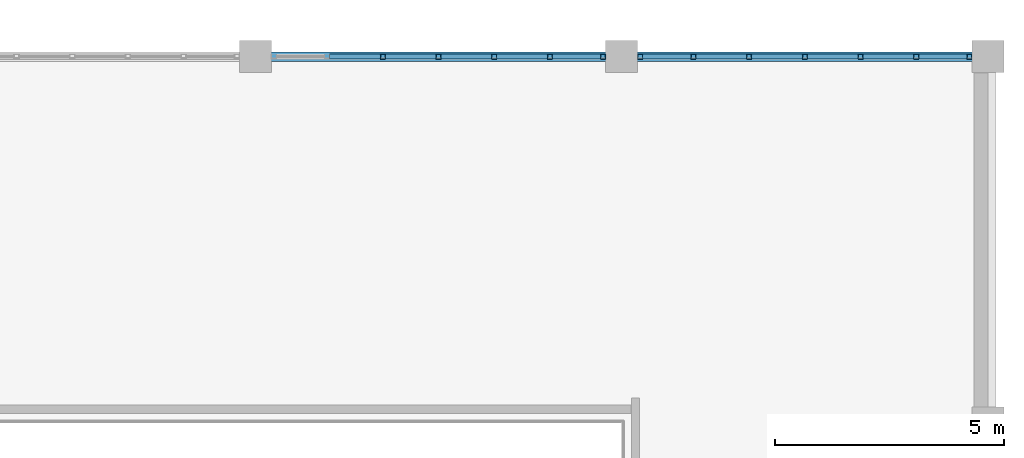
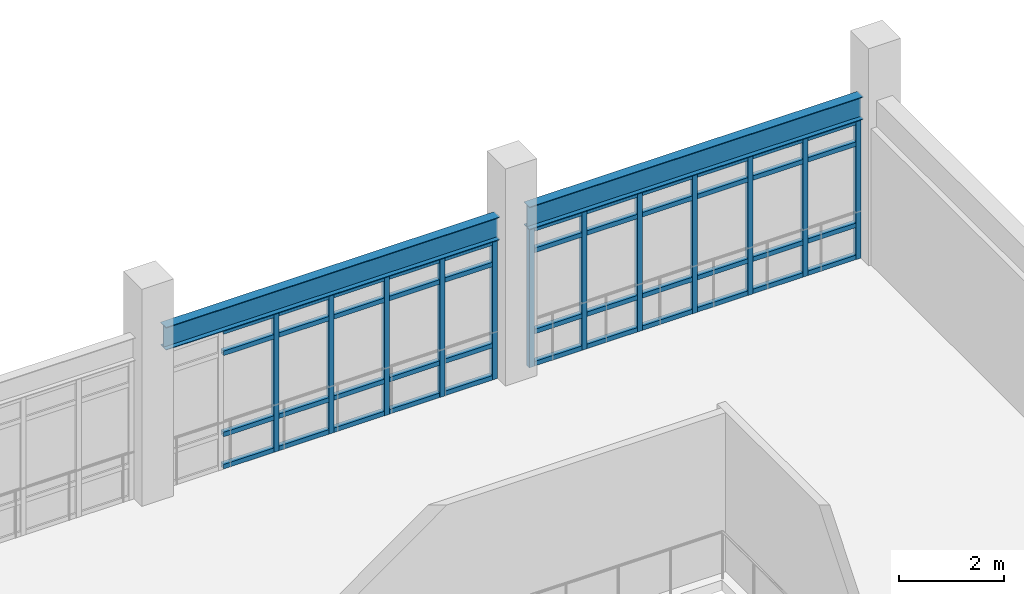
# One storey, part 101 of 159: 56 members, 2 beams, 2 elements without a shape of their own.
"""IFC4 building model written with IfcOpenShell, lengths in metres."""

from ifc_helpers import new_model, si_unit, direction, frame, origin, origin_2d, place, context, subcontext, project, spatial, hollow_rectangle, i_section, extrude, material, material_profile, profile_set, type_object, element, aggregate, save


model = new_model("IFC4")

# Units and contexts
model_context = context("Model", 3, precision=1e-05, world=origin(), true_north=direction((0.0, 1.0)))
body_context = subcontext(model_context, "Body", "Model", "MODEL_VIEW")
ifc_project = project(units=[si_unit("LENGTHUNIT", "METRE"), si_unit("AREAUNIT", "SQUARE_METRE"), si_unit("VOLUMEUNIT", "CUBIC_METRE"), si_unit("PLANEANGLEUNIT", "RADIAN"), si_unit("MASSUNIT", "GRAM", prefix="KILO")], contexts=[model_context])

# Site, building, storey
site_placement = place(None, origin())
site = spatial("IfcSite", under=ifc_project, at=site_placement, CompositionType="ELEMENT")
building_placement = place(site_placement, origin())
building = spatial("IfcBuilding", under=site, at=building_placement, Name="Celadon Cloister-Ring School", CompositionType="ELEMENT")
storey_placement = place(building_placement, frame((0.0, 0.0, 4.5)))
storey = spatial("IfcBuildingStorey", under=building, at=storey_placement, Name="L01", CompositionType="ELEMENT", Elevation=4.5)

# Curtain wall, members
ifc_material_1 = material(Name="Aluminium EN AW-6063 T6", Category="aluminium")
curtain_wall_type = type_object("IfcCurtainWallType", Name="CW-08", PredefinedType="USERDEFINED", material=ifc_material_1)
curtain_wall_1_placement = place(storey_placement, origin())
curtain_wall_1 = element("IfcCurtainWall", 1, at=curtain_wall_1_placement, inside=storey, type_object=curtain_wall_type, Name="Curtain Wall 0182", ObjectType="CURTAIN WALL", PredefinedType="USERDEFINED")
ifc_material_2 = material(Name="Aluminium EN AW-6063 T6", Category="aluminium")
ifc_material_profile_1 = material_profile(ifc_material_2, hollow_rectangle(XDim=0.110107421875, YDim=0.110107421875, WallThickness=0.0048828125, at=origin_2d()), Name="RHS110X110X5")
ifc_profile_set_1 = profile_set([ifc_material_profile_1], Name="Aluminium EN AW-6063 T6")
member_type_1 = type_object("IfcMemberType", Name="CM-01", PredefinedType="MULLION", material=ifc_profile_set_1)
member_1_placement = place(storey_placement, frame((160.783447265625, 114.0, 0.0), z_axis=(0.0, 0.0, 1.0), x_axis=(0.0, 1.0, 0.0)))
member_1 = element("IfcMember", 2, at=member_1_placement, type_object=member_type_1, Name="CW-08 mullion 3", PredefinedType="MULLION", context=body_context, shape_type="SweptSolid", body=[
    extrude(hollow_rectangle(XDim=0.110107421875, YDim=0.110107421875, WallThickness=0.0048828125, at=origin_2d()), origin(), (0.0, 0.0, 1.0), 3.239013671875),
])
member_2_placement = place(storey_placement, frame((162.0, 114.0, 0.0), z_axis=(0.0, 0.0, 1.0), x_axis=(0.0, 1.0, 0.0)))
member_2 = element("IfcMember", 3, at=member_2_placement, type_object=member_type_1, Name="CW-08 mullion 4", PredefinedType="MULLION", context=body_context, shape_type="SweptSolid", body=[
    extrude(hollow_rectangle(XDim=0.110107421875, YDim=0.110107421875, WallThickness=0.0048828125, at=origin_2d()), origin(), (0.0, 0.0, 1.0), 3.239013671875),
])
member_3_placement = place(storey_placement, frame((163.216552734375, 114.0, 0.0), z_axis=(0.0, 0.0, 1.0), x_axis=(0.0, 1.0, 0.0)))
member_3 = element("IfcMember", 4, at=member_3_placement, type_object=member_type_1, Name="CW-08 mullion 5", PredefinedType="MULLION", context=body_context, shape_type="SweptSolid", body=[
    extrude(hollow_rectangle(XDim=0.110107421875, YDim=0.110107421875, WallThickness=0.0048828125, at=origin_2d()), origin(), (0.0, 0.0, 1.0), 3.239013671875),
])
member_4_placement = place(storey_placement, frame((164.433349609375, 114.0, 0.0), z_axis=(0.0, 0.0, 1.0), x_axis=(0.0, 1.0, 0.0)))
member_4 = element("IfcMember", 5, at=member_4_placement, type_object=member_type_1, Name="CW-08 mullion 6", PredefinedType="MULLION", context=body_context, shape_type="SweptSolid", body=[
    extrude(hollow_rectangle(XDim=0.110107421875, YDim=0.110107421875, WallThickness=0.0048828125, at=origin_2d()), origin(), (0.0, 0.0, 1.0), 3.239013671875),
])
member_5_placement = place(storey_placement, frame((165.594970703125, 114.0, 0.0), z_axis=(0.0, 0.0, 1.0), x_axis=(0.0, 1.0, 0.0)))
member_5 = element("IfcMember", 6, at=member_5_placement, type_object=member_type_1, Name="CW-08 mullion 7", PredefinedType="MULLION", context=body_context, shape_type="SweptSolid", body=[
    extrude(hollow_rectangle(XDim=0.110107421875, YDim=0.110107421875, WallThickness=0.0048828125, at=origin_2d()), origin(), (0.0, 0.0, 1.0), 3.239013671875),
])

curtain_wall_2_placement = place(storey_placement, origin())
curtain_wall_2 = element("IfcCurtainWall", 7, at=curtain_wall_2_placement, inside=storey, type_object=curtain_wall_type, Name="Curtain Wall 0183", ObjectType="CURTAIN WALL", PredefinedType="USERDEFINED")
member_6_placement = place(storey_placement, frame((166.405029296875, 114.0, 0.0), z_axis=(0.0, 0.0, 1.0), x_axis=(0.0, 1.0, 0.0)))
member_6 = element("IfcMember", 8, at=member_6_placement, type_object=member_type_1, Name="CW-08 mullion 1", PredefinedType="MULLION", context=body_context, shape_type="SweptSolid", body=[
    extrude(hollow_rectangle(XDim=0.110107421875, YDim=0.110107421875, WallThickness=0.0048828125, at=origin_2d()), origin(), (0.0, 0.0, 1.0), 3.239013671875),
])
member_7_placement = place(storey_placement, frame((167.566650390625, 114.0, 0.0), z_axis=(0.0, 0.0, 1.0), x_axis=(0.0, 1.0, 0.0)))
member_7 = element("IfcMember", 9, at=member_7_placement, type_object=member_type_1, Name="CW-08 mullion 2", PredefinedType="MULLION", context=body_context, shape_type="SweptSolid", body=[
    extrude(hollow_rectangle(XDim=0.110107421875, YDim=0.110107421875, WallThickness=0.0048828125, at=origin_2d()), origin(), (0.0, 0.0, 1.0), 3.239013671875),
])
member_8_placement = place(storey_placement, frame((168.783447265625, 114.0, 0.0), z_axis=(0.0, 0.0, 1.0), x_axis=(0.0, 1.0, 0.0)))
member_8 = element("IfcMember", 10, at=member_8_placement, type_object=member_type_1, Name="CW-08 mullion 3", PredefinedType="MULLION", context=body_context, shape_type="SweptSolid", body=[
    extrude(hollow_rectangle(XDim=0.110107421875, YDim=0.110107421875, WallThickness=0.0048828125, at=origin_2d()), origin(), (0.0, 0.0, 1.0), 3.239013671875),
])
member_9_placement = place(storey_placement, frame((170.0, 114.0, 0.0), z_axis=(0.0, 0.0, 1.0), x_axis=(0.0, 1.0, 0.0)))
member_9 = element("IfcMember", 11, at=member_9_placement, type_object=member_type_1, Name="CW-08 mullion 4", PredefinedType="MULLION", context=body_context, shape_type="SweptSolid", body=[
    extrude(hollow_rectangle(XDim=0.110107421875, YDim=0.110107421875, WallThickness=0.0048828125, at=origin_2d()), origin(), (0.0, 0.0, 1.0), 3.239013671875),
])
member_10_placement = place(storey_placement, frame((171.216552734375, 114.0, 0.0), z_axis=(0.0, 0.0, 1.0), x_axis=(0.0, 1.0, 0.0)))
member_10 = element("IfcMember", 12, at=member_10_placement, type_object=member_type_1, Name="CW-08 mullion 5", PredefinedType="MULLION", context=body_context, shape_type="SweptSolid", body=[
    extrude(hollow_rectangle(XDim=0.110107421875, YDim=0.110107421875, WallThickness=0.0048828125, at=origin_2d()), origin(), (0.0, 0.0, 1.0), 3.239013671875),
])
member_11_placement = place(storey_placement, frame((172.433349609375, 114.0, 0.0), z_axis=(0.0, 0.0, 1.0), x_axis=(0.0, 1.0, 0.0)))
member_11 = element("IfcMember", 13, at=member_11_placement, type_object=member_type_1, Name="CW-08 mullion 6", PredefinedType="MULLION", context=body_context, shape_type="SweptSolid", body=[
    extrude(hollow_rectangle(XDim=0.110107421875, YDim=0.110107421875, WallThickness=0.0048828125, at=origin_2d()), origin(), (0.0, 0.0, 1.0), 3.239013671875),
])
member_12_placement = place(storey_placement, frame((173.594970703125, 114.0, 0.0), z_axis=(0.0, 0.0, 1.0), x_axis=(0.0, 1.0, 0.0)))
member_12 = element("IfcMember", 14, at=member_12_placement, type_object=member_type_1, Name="CW-08 mullion 7", PredefinedType="MULLION", context=body_context, shape_type="SweptSolid", body=[
    extrude(hollow_rectangle(XDim=0.110107421875, YDim=0.110107421875, WallThickness=0.0048828125, at=origin_2d()), origin(), (0.0, 0.0, 1.0), 3.239013671875),
])

# Member
ifc_material_3 = material(Name="Aluminium EN AW-6063 T6", Category="aluminium")
ifc_material_profile_2 = material_profile(ifc_material_3, hollow_rectangle(XDim=0.10498046875, YDim=0.10498046875, WallThickness=0.0048828125, at=origin_2d()), Name="RHS105X105X5")
ifc_profile_set_2 = profile_set([ifc_material_profile_2], Name="Aluminium EN AW-6063 T6")
member_type_2 = type_object("IfcMemberType", Name="CTM-01", PredefinedType="USERDEFINED", material=ifc_profile_set_2)
member_13_placement = place(storey_placement, frame((159.62158203125, 114.0, 0.052490234375), z_axis=(1.0, 0.0, 0.0), x_axis=(0.0, 1.0, 0.0)))
member_13 = element("IfcMember", 15, at=member_13_placement, type_object=member_type_2, Name="CW-08 transom 2.1", ObjectType="TRANSOM", PredefinedType="USERDEFINED", context=body_context, shape_type="SweptSolid", body=[
    extrude(hollow_rectangle(XDim=0.10498046875, YDim=0.10498046875, WallThickness=0.0048828125, at=origin_2d()), origin(), (0.0, 0.0, 1.0), 1.106689453125),
])

member_14_placement = place(storey_placement, frame((159.62158203125, 114.0, 0.800048828125), z_axis=(1.0, 0.0, 0.0), x_axis=(0.0, 1.0, 0.0)))
member_14 = element("IfcMember", 16, at=member_14_placement, type_object=member_type_2, Name="CW-08 transom 2.2", ObjectType="TRANSOM", PredefinedType="USERDEFINED", context=body_context, shape_type="SweptSolid", body=[
    extrude(hollow_rectangle(XDim=0.10498046875, YDim=0.10498046875, WallThickness=0.0048828125, at=origin_2d()), origin(), (0.0, 0.0, 1.0), 1.106689453125),
])

member_15_placement = place(storey_placement, frame((159.62158203125, 114.0, 2.68896484375), z_axis=(1.0, 0.0, 0.0), x_axis=(0.0, 1.0, 0.0)))
member_15 = element("IfcMember", 17, at=member_15_placement, type_object=member_type_2, Name="CW-08 transom 2.3", ObjectType="TRANSOM", PredefinedType="USERDEFINED", context=body_context, shape_type="SweptSolid", body=[
    extrude(hollow_rectangle(XDim=0.10498046875, YDim=0.10498046875, WallThickness=0.0048828125, at=origin_2d()), origin(), (0.0, 0.0, 1.0), 1.106689453125),
])

member_16_placement = place(storey_placement, frame((159.62158203125, 114.0, 3.1865234375), z_axis=(1.0, 0.0, 0.0), x_axis=(0.0, 1.0, 0.0)))
member_16 = element("IfcMember", 18, at=member_16_placement, type_object=member_type_2, Name="CW-08 transom 2.4", ObjectType="TRANSOM", PredefinedType="USERDEFINED", context=body_context, shape_type="SweptSolid", body=[
    extrude(hollow_rectangle(XDim=0.10498046875, YDim=0.10498046875, WallThickness=0.0048828125, at=origin_2d()), origin(), (0.0, 0.0, 1.0), 1.106689453125),
])

member_17_placement = place(storey_placement, frame((160.83837890625, 114.0, 0.052490234375), z_axis=(1.0, 0.0, 0.0), x_axis=(0.0, 1.0, 0.0)))
member_17 = element("IfcMember", 19, at=member_17_placement, type_object=member_type_2, Name="CW-08 transom 3.1", ObjectType="TRANSOM", PredefinedType="USERDEFINED", context=body_context, shape_type="SweptSolid", body=[
    extrude(hollow_rectangle(XDim=0.10498046875, YDim=0.10498046875, WallThickness=0.0048828125, at=origin_2d()), origin(), (0.0, 0.0, 1.0), 1.106689453125),
])

member_18_placement = place(storey_placement, frame((160.83837890625, 114.0, 0.800048828125), z_axis=(1.0, 0.0, 0.0), x_axis=(0.0, 1.0, 0.0)))
member_18 = element("IfcMember", 20, at=member_18_placement, type_object=member_type_2, Name="CW-08 transom 3.2", ObjectType="TRANSOM", PredefinedType="USERDEFINED", context=body_context, shape_type="SweptSolid", body=[
    extrude(hollow_rectangle(XDim=0.10498046875, YDim=0.10498046875, WallThickness=0.0048828125, at=origin_2d()), origin(), (0.0, 0.0, 1.0), 1.106689453125),
])

member_19_placement = place(storey_placement, frame((160.83837890625, 114.0, 2.68896484375), z_axis=(1.0, 0.0, 0.0), x_axis=(0.0, 1.0, 0.0)))
member_19 = element("IfcMember", 21, at=member_19_placement, type_object=member_type_2, Name="CW-08 transom 3.3", ObjectType="TRANSOM", PredefinedType="USERDEFINED", context=body_context, shape_type="SweptSolid", body=[
    extrude(hollow_rectangle(XDim=0.10498046875, YDim=0.10498046875, WallThickness=0.0048828125, at=origin_2d()), origin(), (0.0, 0.0, 1.0), 1.106689453125),
])

member_20_placement = place(storey_placement, frame((160.83837890625, 114.0, 3.1865234375), z_axis=(1.0, 0.0, 0.0), x_axis=(0.0, 1.0, 0.0)))
member_20 = element("IfcMember", 22, at=member_20_placement, type_object=member_type_2, Name="CW-08 transom 3.4", ObjectType="TRANSOM", PredefinedType="USERDEFINED", context=body_context, shape_type="SweptSolid", body=[
    extrude(hollow_rectangle(XDim=0.10498046875, YDim=0.10498046875, WallThickness=0.0048828125, at=origin_2d()), origin(), (0.0, 0.0, 1.0), 1.106689453125),
])

member_21_placement = place(storey_placement, frame((162.054931640625, 114.0, 0.052490234375), z_axis=(1.0, 0.0, 0.0), x_axis=(0.0, 1.0, 0.0)))
member_21 = element("IfcMember", 23, at=member_21_placement, type_object=member_type_2, Name="CW-08 transom 4.1", ObjectType="TRANSOM", PredefinedType="USERDEFINED", context=body_context, shape_type="SweptSolid", body=[
    extrude(hollow_rectangle(XDim=0.10498046875, YDim=0.10498046875, WallThickness=0.0048828125, at=origin_2d()), origin(), (0.0, 0.0, 1.0), 1.106689453125),
])

member_22_placement = place(storey_placement, frame((162.054931640625, 114.0, 0.800048828125), z_axis=(1.0, 0.0, 0.0), x_axis=(0.0, 1.0, 0.0)))
member_22 = element("IfcMember", 24, at=member_22_placement, type_object=member_type_2, Name="CW-08 transom 4.2", ObjectType="TRANSOM", PredefinedType="USERDEFINED", context=body_context, shape_type="SweptSolid", body=[
    extrude(hollow_rectangle(XDim=0.10498046875, YDim=0.10498046875, WallThickness=0.0048828125, at=origin_2d()), origin(), (0.0, 0.0, 1.0), 1.106689453125),
])

member_23_placement = place(storey_placement, frame((162.054931640625, 114.0, 2.68896484375), z_axis=(1.0, 0.0, 0.0), x_axis=(0.0, 1.0, 0.0)))
member_23 = element("IfcMember", 25, at=member_23_placement, type_object=member_type_2, Name="CW-08 transom 4.3", ObjectType="TRANSOM", PredefinedType="USERDEFINED", context=body_context, shape_type="SweptSolid", body=[
    extrude(hollow_rectangle(XDim=0.10498046875, YDim=0.10498046875, WallThickness=0.0048828125, at=origin_2d()), origin(), (0.0, 0.0, 1.0), 1.106689453125),
])

member_24_placement = place(storey_placement, frame((162.054931640625, 114.0, 3.1865234375), z_axis=(1.0, 0.0, 0.0), x_axis=(0.0, 1.0, 0.0)))
member_24 = element("IfcMember", 26, at=member_24_placement, type_object=member_type_2, Name="CW-08 transom 4.4", ObjectType="TRANSOM", PredefinedType="USERDEFINED", context=body_context, shape_type="SweptSolid", body=[
    extrude(hollow_rectangle(XDim=0.10498046875, YDim=0.10498046875, WallThickness=0.0048828125, at=origin_2d()), origin(), (0.0, 0.0, 1.0), 1.106689453125),
])

member_25_placement = place(storey_placement, frame((163.271728515625, 114.0, 0.052490234375), z_axis=(1.0, 0.0, 0.0), x_axis=(0.0, 1.0, 0.0)))
member_25 = element("IfcMember", 27, at=member_25_placement, type_object=member_type_2, Name="CW-08 transom 5.1", ObjectType="TRANSOM", PredefinedType="USERDEFINED", context=body_context, shape_type="SweptSolid", body=[
    extrude(hollow_rectangle(XDim=0.10498046875, YDim=0.10498046875, WallThickness=0.0048828125, at=origin_2d()), origin(), (0.0, 0.0, 1.0), 1.106689453125),
])

member_26_placement = place(storey_placement, frame((163.271728515625, 114.0, 0.800048828125), z_axis=(1.0, 0.0, 0.0), x_axis=(0.0, 1.0, 0.0)))
member_26 = element("IfcMember", 28, at=member_26_placement, type_object=member_type_2, Name="CW-08 transom 5.2", ObjectType="TRANSOM", PredefinedType="USERDEFINED", context=body_context, shape_type="SweptSolid", body=[
    extrude(hollow_rectangle(XDim=0.10498046875, YDim=0.10498046875, WallThickness=0.0048828125, at=origin_2d()), origin(), (0.0, 0.0, 1.0), 1.106689453125),
])

member_27_placement = place(storey_placement, frame((163.271728515625, 114.0, 2.68896484375), z_axis=(1.0, 0.0, 0.0), x_axis=(0.0, 1.0, 0.0)))
member_27 = element("IfcMember", 29, at=member_27_placement, type_object=member_type_2, Name="CW-08 transom 5.3", ObjectType="TRANSOM", PredefinedType="USERDEFINED", context=body_context, shape_type="SweptSolid", body=[
    extrude(hollow_rectangle(XDim=0.10498046875, YDim=0.10498046875, WallThickness=0.0048828125, at=origin_2d()), origin(), (0.0, 0.0, 1.0), 1.106689453125),
])

member_28_placement = place(storey_placement, frame((163.271728515625, 114.0, 3.1865234375), z_axis=(1.0, 0.0, 0.0), x_axis=(0.0, 1.0, 0.0)))
member_28 = element("IfcMember", 30, at=member_28_placement, type_object=member_type_2, Name="CW-08 transom 5.4", ObjectType="TRANSOM", PredefinedType="USERDEFINED", context=body_context, shape_type="SweptSolid", body=[
    extrude(hollow_rectangle(XDim=0.10498046875, YDim=0.10498046875, WallThickness=0.0048828125, at=origin_2d()), origin(), (0.0, 0.0, 1.0), 1.106689453125),
])

member_29_placement = place(storey_placement, frame((164.48828125, 114.0, 0.052490234375), z_axis=(1.0, 0.0, 0.0), x_axis=(0.0, 1.0, 0.0)))
member_29 = element("IfcMember", 31, at=member_29_placement, type_object=member_type_2, Name="CW-08 transom 6.1", ObjectType="TRANSOM", PredefinedType="USERDEFINED", context=body_context, shape_type="SweptSolid", body=[
    extrude(hollow_rectangle(XDim=0.10498046875, YDim=0.10498046875, WallThickness=0.0048828125, at=origin_2d()), origin(), (0.0, 0.0, 1.0), 1.0517578125),
])

member_30_placement = place(storey_placement, frame((164.48828125, 114.0, 0.800048828125), z_axis=(1.0, 0.0, 0.0), x_axis=(0.0, 1.0, 0.0)))
member_30 = element("IfcMember", 32, at=member_30_placement, type_object=member_type_2, Name="CW-08 transom 6.2", ObjectType="TRANSOM", PredefinedType="USERDEFINED", context=body_context, shape_type="SweptSolid", body=[
    extrude(hollow_rectangle(XDim=0.10498046875, YDim=0.10498046875, WallThickness=0.0048828125, at=origin_2d()), origin(), (0.0, 0.0, 1.0), 1.0517578125),
])

member_31_placement = place(storey_placement, frame((164.48828125, 114.0, 2.68896484375), z_axis=(1.0, 0.0, 0.0), x_axis=(0.0, 1.0, 0.0)))
member_31 = element("IfcMember", 33, at=member_31_placement, type_object=member_type_2, Name="CW-08 transom 6.3", ObjectType="TRANSOM", PredefinedType="USERDEFINED", context=body_context, shape_type="SweptSolid", body=[
    extrude(hollow_rectangle(XDim=0.10498046875, YDim=0.10498046875, WallThickness=0.0048828125, at=origin_2d()), origin(), (0.0, 0.0, 1.0), 1.0517578125),
])

member_32_placement = place(storey_placement, frame((164.48828125, 114.0, 3.1865234375), z_axis=(1.0, 0.0, 0.0), x_axis=(0.0, 1.0, 0.0)))
member_32 = element("IfcMember", 34, at=member_32_placement, type_object=member_type_2, Name="CW-08 transom 6.4", ObjectType="TRANSOM", PredefinedType="USERDEFINED", context=body_context, shape_type="SweptSolid", body=[
    extrude(hollow_rectangle(XDim=0.10498046875, YDim=0.10498046875, WallThickness=0.0048828125, at=origin_2d()), origin(), (0.0, 0.0, 1.0), 1.0517578125),
])

aggregate(curtain_wall_1, [member_1, member_2, member_3, member_4, member_5, member_13, member_14, member_15, member_16, member_17, member_18, member_19, member_20, member_21, member_22, member_23, member_24, member_25, member_26, member_27, member_28, member_29, member_30, member_31, member_32])

member_33_placement = place(storey_placement, frame((166.4599609375, 114.0, 0.052490234375), z_axis=(1.0, 0.0, 0.0), x_axis=(0.0, 1.0, 0.0)))
member_33 = element("IfcMember", 35, at=member_33_placement, type_object=member_type_2, Name="CW-08 transom 1.1", ObjectType="TRANSOM", PredefinedType="USERDEFINED", context=body_context, shape_type="SweptSolid", body=[
    extrude(hollow_rectangle(XDim=0.10498046875, YDim=0.10498046875, WallThickness=0.0048828125, at=origin_2d()), origin(), (0.0, 0.0, 1.0), 1.0517578125),
])

member_34_placement = place(storey_placement, frame((166.4599609375, 114.0, 0.800048828125), z_axis=(1.0, 0.0, 0.0), x_axis=(0.0, 1.0, 0.0)))
member_34 = element("IfcMember", 36, at=member_34_placement, type_object=member_type_2, Name="CW-08 transom 1.2", ObjectType="TRANSOM", PredefinedType="USERDEFINED", context=body_context, shape_type="SweptSolid", body=[
    extrude(hollow_rectangle(XDim=0.10498046875, YDim=0.10498046875, WallThickness=0.0048828125, at=origin_2d()), origin(), (0.0, 0.0, 1.0), 1.0517578125),
])

member_35_placement = place(storey_placement, frame((166.4599609375, 114.0, 2.68896484375), z_axis=(1.0, 0.0, 0.0), x_axis=(0.0, 1.0, 0.0)))
member_35 = element("IfcMember", 37, at=member_35_placement, type_object=member_type_2, Name="CW-08 transom 1.3", ObjectType="TRANSOM", PredefinedType="USERDEFINED", context=body_context, shape_type="SweptSolid", body=[
    extrude(hollow_rectangle(XDim=0.10498046875, YDim=0.10498046875, WallThickness=0.0048828125, at=origin_2d()), origin(), (0.0, 0.0, 1.0), 1.0517578125),
])

member_36_placement = place(storey_placement, frame((166.4599609375, 114.0, 3.1865234375), z_axis=(1.0, 0.0, 0.0), x_axis=(0.0, 1.0, 0.0)))
member_36 = element("IfcMember", 38, at=member_36_placement, type_object=member_type_2, Name="CW-08 transom 1.4", ObjectType="TRANSOM", PredefinedType="USERDEFINED", context=body_context, shape_type="SweptSolid", body=[
    extrude(hollow_rectangle(XDim=0.10498046875, YDim=0.10498046875, WallThickness=0.0048828125, at=origin_2d()), origin(), (0.0, 0.0, 1.0), 1.0517578125),
])

member_37_placement = place(storey_placement, frame((167.62158203125, 114.0, 0.052490234375), z_axis=(1.0, 0.0, 0.0), x_axis=(0.0, 1.0, 0.0)))
member_37 = element("IfcMember", 39, at=member_37_placement, type_object=member_type_2, Name="CW-08 transom 2.1", ObjectType="TRANSOM", PredefinedType="USERDEFINED", context=body_context, shape_type="SweptSolid", body=[
    extrude(hollow_rectangle(XDim=0.10498046875, YDim=0.10498046875, WallThickness=0.0048828125, at=origin_2d()), origin(), (0.0, 0.0, 1.0), 1.106689453125),
])

member_38_placement = place(storey_placement, frame((167.62158203125, 114.0, 0.800048828125), z_axis=(1.0, 0.0, 0.0), x_axis=(0.0, 1.0, 0.0)))
member_38 = element("IfcMember", 40, at=member_38_placement, type_object=member_type_2, Name="CW-08 transom 2.2", ObjectType="TRANSOM", PredefinedType="USERDEFINED", context=body_context, shape_type="SweptSolid", body=[
    extrude(hollow_rectangle(XDim=0.10498046875, YDim=0.10498046875, WallThickness=0.0048828125, at=origin_2d()), origin(), (0.0, 0.0, 1.0), 1.106689453125),
])

member_39_placement = place(storey_placement, frame((167.62158203125, 114.0, 2.68896484375), z_axis=(1.0, 0.0, 0.0), x_axis=(0.0, 1.0, 0.0)))
member_39 = element("IfcMember", 41, at=member_39_placement, type_object=member_type_2, Name="CW-08 transom 2.3", ObjectType="TRANSOM", PredefinedType="USERDEFINED", context=body_context, shape_type="SweptSolid", body=[
    extrude(hollow_rectangle(XDim=0.10498046875, YDim=0.10498046875, WallThickness=0.0048828125, at=origin_2d()), origin(), (0.0, 0.0, 1.0), 1.106689453125),
])

member_40_placement = place(storey_placement, frame((167.62158203125, 114.0, 3.1865234375), z_axis=(1.0, 0.0, 0.0), x_axis=(0.0, 1.0, 0.0)))
member_40 = element("IfcMember", 42, at=member_40_placement, type_object=member_type_2, Name="CW-08 transom 2.4", ObjectType="TRANSOM", PredefinedType="USERDEFINED", context=body_context, shape_type="SweptSolid", body=[
    extrude(hollow_rectangle(XDim=0.10498046875, YDim=0.10498046875, WallThickness=0.0048828125, at=origin_2d()), origin(), (0.0, 0.0, 1.0), 1.106689453125),
])

member_41_placement = place(storey_placement, frame((168.83837890625, 114.0, 0.052490234375), z_axis=(1.0, 0.0, 0.0), x_axis=(0.0, 1.0, 0.0)))
member_41 = element("IfcMember", 43, at=member_41_placement, type_object=member_type_2, Name="CW-08 transom 3.1", ObjectType="TRANSOM", PredefinedType="USERDEFINED", context=body_context, shape_type="SweptSolid", body=[
    extrude(hollow_rectangle(XDim=0.10498046875, YDim=0.10498046875, WallThickness=0.0048828125, at=origin_2d()), origin(), (0.0, 0.0, 1.0), 1.106689453125),
])

member_42_placement = place(storey_placement, frame((168.83837890625, 114.0, 0.800048828125), z_axis=(1.0, 0.0, 0.0), x_axis=(0.0, 1.0, 0.0)))
member_42 = element("IfcMember", 44, at=member_42_placement, type_object=member_type_2, Name="CW-08 transom 3.2", ObjectType="TRANSOM", PredefinedType="USERDEFINED", context=body_context, shape_type="SweptSolid", body=[
    extrude(hollow_rectangle(XDim=0.10498046875, YDim=0.10498046875, WallThickness=0.0048828125, at=origin_2d()), origin(), (0.0, 0.0, 1.0), 1.106689453125),
])

member_43_placement = place(storey_placement, frame((168.83837890625, 114.0, 2.68896484375), z_axis=(1.0, 0.0, 0.0), x_axis=(0.0, 1.0, 0.0)))
member_43 = element("IfcMember", 45, at=member_43_placement, type_object=member_type_2, Name="CW-08 transom 3.3", ObjectType="TRANSOM", PredefinedType="USERDEFINED", context=body_context, shape_type="SweptSolid", body=[
    extrude(hollow_rectangle(XDim=0.10498046875, YDim=0.10498046875, WallThickness=0.0048828125, at=origin_2d()), origin(), (0.0, 0.0, 1.0), 1.106689453125),
])

member_44_placement = place(storey_placement, frame((168.83837890625, 114.0, 3.1865234375), z_axis=(1.0, 0.0, 0.0), x_axis=(0.0, 1.0, 0.0)))
member_44 = element("IfcMember", 46, at=member_44_placement, type_object=member_type_2, Name="CW-08 transom 3.4", ObjectType="TRANSOM", PredefinedType="USERDEFINED", context=body_context, shape_type="SweptSolid", body=[
    extrude(hollow_rectangle(XDim=0.10498046875, YDim=0.10498046875, WallThickness=0.0048828125, at=origin_2d()), origin(), (0.0, 0.0, 1.0), 1.106689453125),
])

member_45_placement = place(storey_placement, frame((170.054931640625, 114.0, 0.052490234375), z_axis=(1.0, 0.0, 0.0), x_axis=(0.0, 1.0, 0.0)))
member_45 = element("IfcMember", 47, at=member_45_placement, type_object=member_type_2, Name="CW-08 transom 4.1", ObjectType="TRANSOM", PredefinedType="USERDEFINED", context=body_context, shape_type="SweptSolid", body=[
    extrude(hollow_rectangle(XDim=0.10498046875, YDim=0.10498046875, WallThickness=0.0048828125, at=origin_2d()), origin(), (0.0, 0.0, 1.0), 1.106689453125),
])

member_46_placement = place(storey_placement, frame((170.054931640625, 114.0, 0.800048828125), z_axis=(1.0, 0.0, 0.0), x_axis=(0.0, 1.0, 0.0)))
member_46 = element("IfcMember", 48, at=member_46_placement, type_object=member_type_2, Name="CW-08 transom 4.2", ObjectType="TRANSOM", PredefinedType="USERDEFINED", context=body_context, shape_type="SweptSolid", body=[
    extrude(hollow_rectangle(XDim=0.10498046875, YDim=0.10498046875, WallThickness=0.0048828125, at=origin_2d()), origin(), (0.0, 0.0, 1.0), 1.106689453125),
])

member_47_placement = place(storey_placement, frame((170.054931640625, 114.0, 2.68896484375), z_axis=(1.0, 0.0, 0.0), x_axis=(0.0, 1.0, 0.0)))
member_47 = element("IfcMember", 49, at=member_47_placement, type_object=member_type_2, Name="CW-08 transom 4.3", ObjectType="TRANSOM", PredefinedType="USERDEFINED", context=body_context, shape_type="SweptSolid", body=[
    extrude(hollow_rectangle(XDim=0.10498046875, YDim=0.10498046875, WallThickness=0.0048828125, at=origin_2d()), origin(), (0.0, 0.0, 1.0), 1.106689453125),
])

member_48_placement = place(storey_placement, frame((170.054931640625, 114.0, 3.1865234375), z_axis=(1.0, 0.0, 0.0), x_axis=(0.0, 1.0, 0.0)))
member_48 = element("IfcMember", 50, at=member_48_placement, type_object=member_type_2, Name="CW-08 transom 4.4", ObjectType="TRANSOM", PredefinedType="USERDEFINED", context=body_context, shape_type="SweptSolid", body=[
    extrude(hollow_rectangle(XDim=0.10498046875, YDim=0.10498046875, WallThickness=0.0048828125, at=origin_2d()), origin(), (0.0, 0.0, 1.0), 1.106689453125),
])

member_49_placement = place(storey_placement, frame((171.271728515625, 114.0, 0.052490234375), z_axis=(1.0, 0.0, 0.0), x_axis=(0.0, 1.0, 0.0)))
member_49 = element("IfcMember", 51, at=member_49_placement, type_object=member_type_2, Name="CW-08 transom 5.1", ObjectType="TRANSOM", PredefinedType="USERDEFINED", context=body_context, shape_type="SweptSolid", body=[
    extrude(hollow_rectangle(XDim=0.10498046875, YDim=0.10498046875, WallThickness=0.0048828125, at=origin_2d()), origin(), (0.0, 0.0, 1.0), 1.106689453125),
])

member_50_placement = place(storey_placement, frame((171.271728515625, 114.0, 0.800048828125), z_axis=(1.0, 0.0, 0.0), x_axis=(0.0, 1.0, 0.0)))
member_50 = element("IfcMember", 52, at=member_50_placement, type_object=member_type_2, Name="CW-08 transom 5.2", ObjectType="TRANSOM", PredefinedType="USERDEFINED", context=body_context, shape_type="SweptSolid", body=[
    extrude(hollow_rectangle(XDim=0.10498046875, YDim=0.10498046875, WallThickness=0.0048828125, at=origin_2d()), origin(), (0.0, 0.0, 1.0), 1.106689453125),
])

member_51_placement = place(storey_placement, frame((171.271728515625, 114.0, 2.68896484375), z_axis=(1.0, 0.0, 0.0), x_axis=(0.0, 1.0, 0.0)))
member_51 = element("IfcMember", 53, at=member_51_placement, type_object=member_type_2, Name="CW-08 transom 5.3", ObjectType="TRANSOM", PredefinedType="USERDEFINED", context=body_context, shape_type="SweptSolid", body=[
    extrude(hollow_rectangle(XDim=0.10498046875, YDim=0.10498046875, WallThickness=0.0048828125, at=origin_2d()), origin(), (0.0, 0.0, 1.0), 1.106689453125),
])

member_52_placement = place(storey_placement, frame((171.271728515625, 114.0, 3.1865234375), z_axis=(1.0, 0.0, 0.0), x_axis=(0.0, 1.0, 0.0)))
member_52 = element("IfcMember", 54, at=member_52_placement, type_object=member_type_2, Name="CW-08 transom 5.4", ObjectType="TRANSOM", PredefinedType="USERDEFINED", context=body_context, shape_type="SweptSolid", body=[
    extrude(hollow_rectangle(XDim=0.10498046875, YDim=0.10498046875, WallThickness=0.0048828125, at=origin_2d()), origin(), (0.0, 0.0, 1.0), 1.106689453125),
])

member_53_placement = place(storey_placement, frame((172.48828125, 114.0, 0.052490234375), z_axis=(1.0, 0.0, 0.0), x_axis=(0.0, 1.0, 0.0)))
member_53 = element("IfcMember", 55, at=member_53_placement, type_object=member_type_2, Name="CW-08 transom 6.1", ObjectType="TRANSOM", PredefinedType="USERDEFINED", context=body_context, shape_type="SweptSolid", body=[
    extrude(hollow_rectangle(XDim=0.10498046875, YDim=0.10498046875, WallThickness=0.0048828125, at=origin_2d()), origin(), (0.0, 0.0, 1.0), 1.0517578125),
])

member_54_placement = place(storey_placement, frame((172.48828125, 114.0, 0.800048828125), z_axis=(1.0, 0.0, 0.0), x_axis=(0.0, 1.0, 0.0)))
member_54 = element("IfcMember", 56, at=member_54_placement, type_object=member_type_2, Name="CW-08 transom 6.2", ObjectType="TRANSOM", PredefinedType="USERDEFINED", context=body_context, shape_type="SweptSolid", body=[
    extrude(hollow_rectangle(XDim=0.10498046875, YDim=0.10498046875, WallThickness=0.0048828125, at=origin_2d()), origin(), (0.0, 0.0, 1.0), 1.0517578125),
])

member_55_placement = place(storey_placement, frame((172.48828125, 114.0, 2.68896484375), z_axis=(1.0, 0.0, 0.0), x_axis=(0.0, 1.0, 0.0)))
member_55 = element("IfcMember", 57, at=member_55_placement, type_object=member_type_2, Name="CW-08 transom 6.3", ObjectType="TRANSOM", PredefinedType="USERDEFINED", context=body_context, shape_type="SweptSolid", body=[
    extrude(hollow_rectangle(XDim=0.10498046875, YDim=0.10498046875, WallThickness=0.0048828125, at=origin_2d()), origin(), (0.0, 0.0, 1.0), 1.0517578125),
])

member_56_placement = place(storey_placement, frame((172.48828125, 114.0, 3.1865234375), z_axis=(1.0, 0.0, 0.0), x_axis=(0.0, 1.0, 0.0)))
member_56 = element("IfcMember", 58, at=member_56_placement, type_object=member_type_2, Name="CW-08 transom 6.4", ObjectType="TRANSOM", PredefinedType="USERDEFINED", context=body_context, shape_type="SweptSolid", body=[
    extrude(hollow_rectangle(XDim=0.10498046875, YDim=0.10498046875, WallThickness=0.0048828125, at=origin_2d()), origin(), (0.0, 0.0, 1.0), 1.0517578125),
])

aggregate(curtain_wall_2, [member_6, member_7, member_8, member_9, member_10, member_11, member_12, member_33, member_34, member_35, member_36, member_37, member_38, member_39, member_40, member_41, member_42, member_43, member_44, member_45, member_46, member_47, member_48, member_49, member_50, member_51, member_52, member_53, member_54, member_55, member_56])

# Beams
ifc_material_4 = material(Name="Structural steel S355JR", Category="steel")
ifc_material_profile_3 = material_profile(ifc_material_4, i_section(OverallWidth=0.208984375, OverallDepth=0.532958984375, WebThickness=0.01025390625, FlangeThickness=0.015625, at=origin_2d()), Name="W530X92")
ifc_profile_set_3 = profile_set([ifc_material_profile_3], Name="Structural steel S355JR")
beam_type = type_object("IfcBeamType", Name="GT-06", PredefinedType="USERDEFINED", material=ifc_profile_set_3)
for number, where, z_axis, x_axis, name in (
    (59, (158.324951171875, 114.0, 3.512939453125), (1.0, 0.0, 0.0), (0.0, 1.0, 0.0), "Beam 1166"),
    (60, (166.324951171875, 114.0, 3.512939453125), (1.0, 0.0, 0.0), (0.0, 1.0, 0.0), "Beam 1167"),
):
    element("IfcBeam", number, at=place(storey_placement, frame(where, z_axis=z_axis, x_axis=x_axis)), inside=storey, type_object=beam_type, Name=name, ObjectType="GIRDER", PredefinedType="USERDEFINED", context=body_context, shape_type="SweptSolid", body=[
        extrude(i_section(OverallWidth=0.208984375, OverallDepth=0.532958984375, WebThickness=0.01025390625, FlangeThickness=0.015625, at=origin_2d()), origin(), (0.0, 0.0, 1.0), 7.35009765625),
    ])

save(model, "model.ifc")
